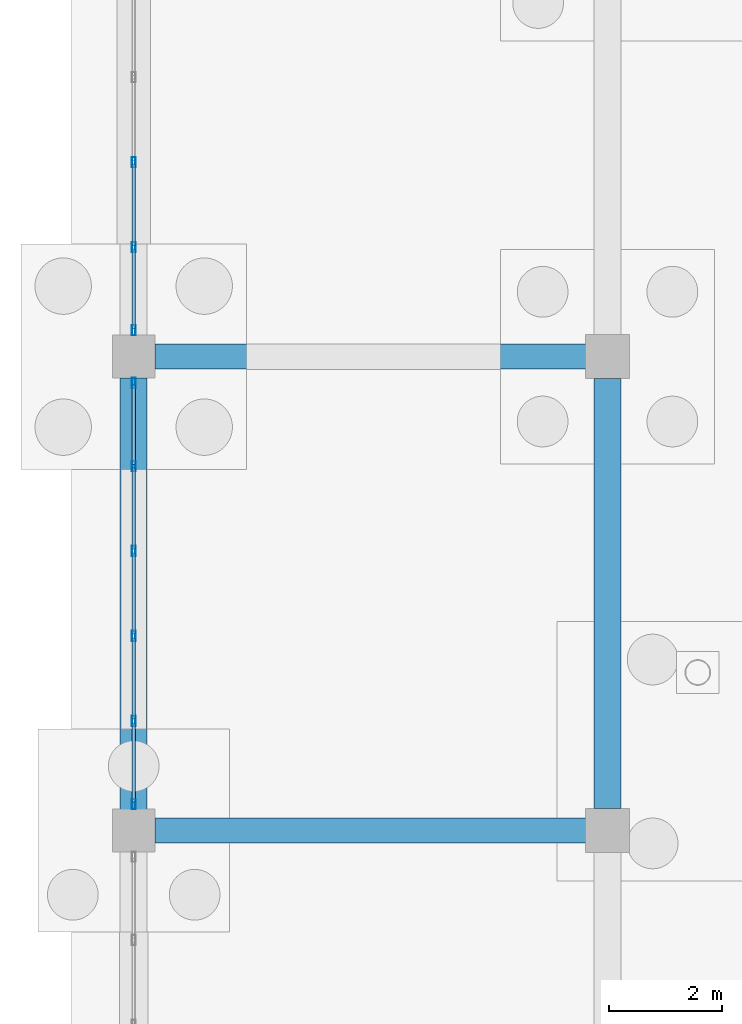
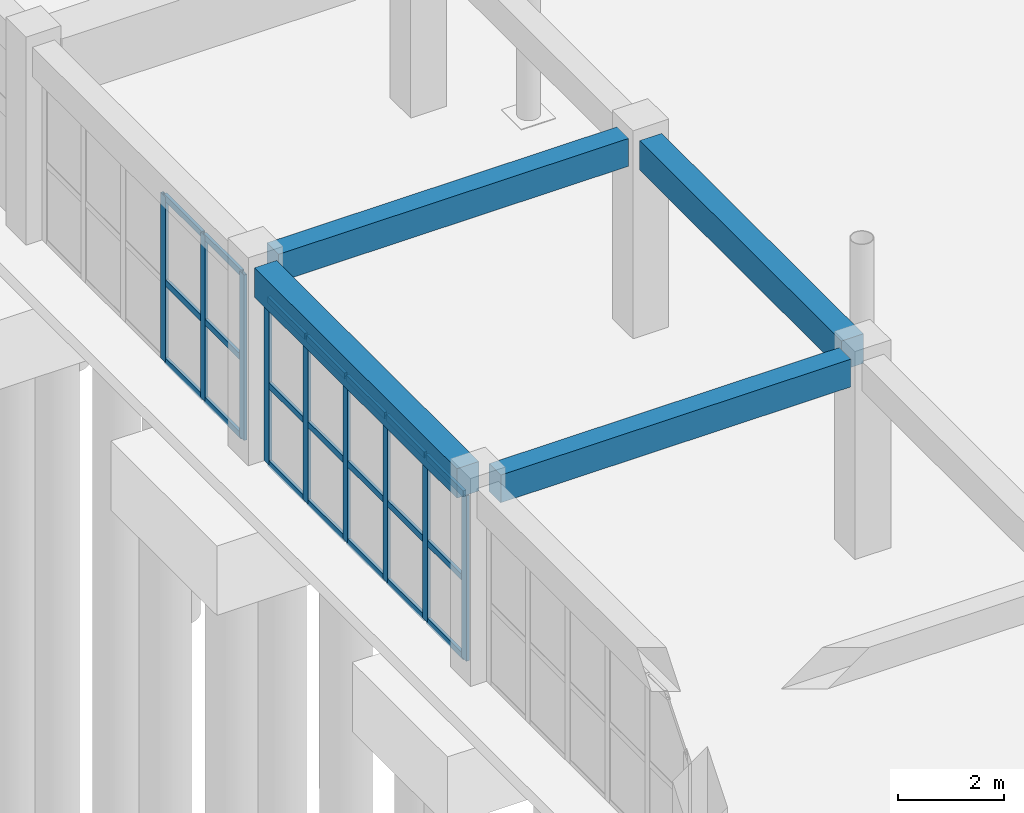
# One storey, part 127 of 192: 30 members, 4 beams, 2 elements without a shape of their own.
"""IFC4 building model written with IfcOpenShell, lengths in metres."""

from ifc_helpers import new_model, si_unit, direction, frame, origin, origin_2d, place, context, subcontext, project, spatial, rectangle, hollow_rectangle, extrude, material, layer, layer_set, material_profile, profile_set, type_object, element, aggregate, save


model = new_model("IFC4")

# Units and contexts
model_context = context("Model", 3, precision=1e-05, world=origin(), true_north=direction((0.0, 1.0)))
body_context = subcontext(model_context, "Body", "Model", "MODEL_VIEW")
ifc_project = project(units=[si_unit("LENGTHUNIT", "METRE"), si_unit("AREAUNIT", "SQUARE_METRE"), si_unit("VOLUMEUNIT", "CUBIC_METRE"), si_unit("PLANEANGLEUNIT", "RADIAN"), si_unit("MASSUNIT", "GRAM", prefix="KILO")], contexts=[model_context])

# Site, building, storey
site_placement = place(None, origin())
site = spatial("IfcSite", under=ifc_project, at=site_placement, CompositionType="ELEMENT")
building_placement = place(site_placement, origin())
building = spatial("IfcBuilding", under=site, at=building_placement, Name="Trelvath General Hospital", CompositionType="ELEMENT")
storey_placement = place(building_placement, origin())
storey = spatial("IfcBuildingStorey", under=building, at=storey_placement, Name="L00", CompositionType="ELEMENT", Elevation=0.0)

# Beams
ifc_material_1 = material(Name="Concrete C35/45", Category="concrete")
ifc_material_profile_1 = material_profile(ifc_material_1, rectangle(XDim=0.43994140625, YDim=0.639892578125, at=origin_2d()), Name="RCB440x640")
ifc_profile_set_1 = profile_set([ifc_material_profile_1], Name="Concrete C35/45")
beam_type_1 = type_object("IfcBeamType", Name="Beam RC440x640", PredefinedType="BEAM", material=ifc_profile_set_1)
for number, where, z_axis, x_axis, name in (
    (1, (134.77490234375, 50.39990234375, 4.199951171875), (1.0, 0.0, 0.0), (0.0, 1.0, 0.0), "Grid Beam BX-016G"),
    (2, (134.77490234375, 58.800048828125, 4.199951171875), (1.0, 0.0, 0.0), (0.0, 1.0, 0.0), "Grid Beam BX-016H"),
):
    element("IfcBeam", number, at=place(storey_placement, frame(where, z_axis=z_axis, x_axis=x_axis)), inside=storey, type_object=beam_type_1, Name=name, PredefinedType="BEAM", context=body_context, shape_type="SweptSolid", body=[
        extrude(rectangle(XDim=0.43994140625, YDim=0.639892578125, at=origin_2d()), origin(), (0.0, 0.0, 1.0), 7.64013671875),
    ])
ifc_material_2 = material(Name="Concrete C35/45", Category="concrete")
ifc_material_profile_2 = material_profile(ifc_material_2, rectangle(XDim=0.47998046875, YDim=0.679931640625, at=origin_2d()), Name="RCB480x680")
ifc_profile_set_2 = profile_set([ifc_material_profile_2], Name="Concrete C35/45")
beam_type_2 = type_object("IfcBeamType", Name="Beam RC480x680", PredefinedType="BEAM", material=ifc_profile_set_2)
beam_1_placement = place(storey_placement, frame((134.39990234375, 50.77490234375, 4.179931640625), z_axis=(0.0, 1.0, 0.0), x_axis=(-1.0, 0.0, 0.0)))
element("IfcBeam", 3, at=beam_1_placement, inside=storey, type_object=beam_type_2, Name="Grid Beam BY-016G", PredefinedType="BEAM", context=body_context, shape_type="SweptSolid", body=[
    extrude(rectangle(XDim=0.47998046875, YDim=0.679931640625, at=origin_2d()), origin(), (0.0, 0.0, 1.0), 7.650146484375),
])
beam_2_placement = place(storey_placement, frame((142.800048828125, 50.784912109375, 4.179931640625), z_axis=(0.0, 1.0, 0.0), x_axis=(-1.0, 0.0, 0.0)))
element("IfcBeam", 4, at=beam_2_placement, inside=storey, type_object=beam_type_2, Name="Grid Beam BY-017G", PredefinedType="BEAM", context=body_context, shape_type="SweptSolid", body=[
    extrude(rectangle(XDim=0.47998046875, YDim=0.679931640625, at=origin_2d()), origin(), (0.0, 0.0, 1.0), 7.630126953125),
])

# Curtain wall, members
ifc_material_3 = material(Name="Anodised aluminium and low-E glass", Category="aluminium")
ifc_layer = layer(ifc_material_3, 0.179931640625)
ifc_layer_set = layer_set([ifc_layer], Name="Anodised aluminium and low-E glass")
curtain_wall_type = type_object("IfcCurtainWallType", Name="CW Facade 753 382 18", PredefinedType="USERDEFINED", material=ifc_layer_set)
curtain_wall_1_placement = place(storey_placement, origin())
curtain_wall_1 = element("IfcCurtainWall", 5, at=curtain_wall_1_placement, inside=storey, type_object=curtain_wall_type, Name="Facade Curtain Wall CW-007", ObjectType="Unitised Glazed Curtain Wall", PredefinedType="USERDEFINED")
ifc_material_4 = material(Name="Anodised aluminium", Category="aluminium")
ifc_material_profile_3 = material_profile(ifc_material_4, hollow_rectangle(XDim=0.06494140625, YDim=0.179931640625, WallThickness=0.0048828125, at=origin_2d()), Name="RHS65x180x5")
ifc_profile_set_3 = profile_set([ifc_material_profile_3], Name="Anodised aluminium")
member_type_1 = type_object("IfcMemberType", Name="CurtainMullion 65x180", PredefinedType="MULLION", material=ifc_profile_set_3)
member_1_placement = place(storey_placement, frame((134.39990234375, 50.867431640625, 0.0), z_axis=(0.0, 0.0, 1.0), x_axis=(-1.0, 0.0, 0.0)))
member_1 = element("IfcMember", 6, at=member_1_placement, type_object=member_type_1, Name="CW-007 mullion 1", PredefinedType="MULLION", context=body_context, shape_type="SweptSolid", body=[
    extrude(hollow_rectangle(XDim=0.06494140625, YDim=0.179931640625, WallThickness=0.0048828125, at=origin_2d()), origin(), (0.0, 0.0, 1.0), 3.820068359375),
])
member_2_placement = place(storey_placement, frame((134.39990234375, 52.341064453125, 0.0), z_axis=(0.0, 0.0, 1.0), x_axis=(-1.0, 0.0, 0.0)))
member_2 = element("IfcMember", 7, at=member_2_placement, type_object=member_type_1, Name="CW-007 mullion 2", PredefinedType="MULLION", context=body_context, shape_type="SweptSolid", body=[
    extrude(hollow_rectangle(XDim=0.06494140625, YDim=0.179931640625, WallThickness=0.0048828125, at=origin_2d()), origin(), (0.0, 0.0, 1.0), 3.820068359375),
])
member_3_placement = place(storey_placement, frame((134.39990234375, 53.846923828125, 0.0), z_axis=(0.0, 0.0, 1.0), x_axis=(-1.0, 0.0, 0.0)))
member_3 = element("IfcMember", 8, at=member_3_placement, type_object=member_type_1, Name="CW-007 mullion 3", PredefinedType="MULLION", context=body_context, shape_type="SweptSolid", body=[
    extrude(hollow_rectangle(XDim=0.06494140625, YDim=0.179931640625, WallThickness=0.0048828125, at=origin_2d()), origin(), (0.0, 0.0, 1.0), 3.820068359375),
])
member_4_placement = place(storey_placement, frame((134.39990234375, 55.35302734375, 0.0), z_axis=(0.0, 0.0, 1.0), x_axis=(-1.0, 0.0, 0.0)))
member_4 = element("IfcMember", 9, at=member_4_placement, type_object=member_type_1, Name="CW-007 mullion 4", PredefinedType="MULLION", context=body_context, shape_type="SweptSolid", body=[
    extrude(hollow_rectangle(XDim=0.06494140625, YDim=0.179931640625, WallThickness=0.0048828125, at=origin_2d()), origin(), (0.0, 0.0, 1.0), 3.820068359375),
])
member_5_placement = place(storey_placement, frame((134.39990234375, 56.85888671875, 0.0), z_axis=(0.0, 0.0, 1.0), x_axis=(-1.0, 0.0, 0.0)))
member_5 = element("IfcMember", 10, at=member_5_placement, type_object=member_type_1, Name="CW-007 mullion 5", PredefinedType="MULLION", context=body_context, shape_type="SweptSolid", body=[
    extrude(hollow_rectangle(XDim=0.06494140625, YDim=0.179931640625, WallThickness=0.0048828125, at=origin_2d()), origin(), (0.0, 0.0, 1.0), 3.820068359375),
])
member_6_placement = place(storey_placement, frame((134.39990234375, 58.33251953125, 0.0), z_axis=(0.0, 0.0, 1.0), x_axis=(-1.0, 0.0, 0.0)))
member_6 = element("IfcMember", 11, at=member_6_placement, type_object=member_type_1, Name="CW-007 mullion 6", PredefinedType="MULLION", context=body_context, shape_type="SweptSolid", body=[
    extrude(hollow_rectangle(XDim=0.06494140625, YDim=0.179931640625, WallThickness=0.0048828125, at=origin_2d()), origin(), (0.0, 0.0, 1.0), 3.820068359375),
])

curtain_wall_2_placement = place(storey_placement, origin())
curtain_wall_2 = element("IfcCurtainWall", 12, at=curtain_wall_2_placement, inside=storey, type_object=curtain_wall_type, Name="Facade Curtain Wall CW-008", ObjectType="Unitised Glazed Curtain Wall", PredefinedType="USERDEFINED")
member_7_placement = place(storey_placement, frame((134.39990234375, 59.267578125, 0.0), z_axis=(0.0, 0.0, 1.0), x_axis=(-1.0, 0.0, 0.0)))
member_7 = element("IfcMember", 13, at=member_7_placement, type_object=member_type_1, Name="CW-008 mullion 1", PredefinedType="MULLION", context=body_context, shape_type="SweptSolid", body=[
    extrude(hollow_rectangle(XDim=0.06494140625, YDim=0.179931640625, WallThickness=0.0048828125, at=origin_2d()), origin(), (0.0, 0.0, 1.0), 3.820068359375),
])
member_8_placement = place(storey_placement, frame((134.39990234375, 60.740966796875, 0.0), z_axis=(0.0, 0.0, 1.0), x_axis=(-1.0, 0.0, 0.0)))
member_8 = element("IfcMember", 14, at=member_8_placement, type_object=member_type_1, Name="CW-008 mullion 2", PredefinedType="MULLION", context=body_context, shape_type="SweptSolid", body=[
    extrude(hollow_rectangle(XDim=0.06494140625, YDim=0.179931640625, WallThickness=0.0048828125, at=origin_2d()), origin(), (0.0, 0.0, 1.0), 3.820068359375),
])
member_9_placement = place(storey_placement, frame((134.39990234375, 62.2470703125, 0.0), z_axis=(0.0, 0.0, 1.0), x_axis=(-1.0, 0.0, 0.0)))
member_9 = element("IfcMember", 15, at=member_9_placement, type_object=member_type_1, Name="CW-008 mullion 3", PredefinedType="MULLION", context=body_context, shape_type="SweptSolid", body=[
    extrude(hollow_rectangle(XDim=0.06494140625, YDim=0.179931640625, WallThickness=0.0048828125, at=origin_2d()), origin(), (0.0, 0.0, 1.0), 3.820068359375),
])

# Member
ifc_material_5 = material(Name="Anodised aluminium", Category="aluminium")
ifc_material_profile_4 = material_profile(ifc_material_5, hollow_rectangle(XDim=0.06494140625, YDim=0.14501953125, WallThickness=0.00390625, at=origin_2d()), Name="RHS65x145x4")
ifc_profile_set_4 = profile_set([ifc_material_profile_4], Name="Anodised aluminium")
member_type_2 = type_object("IfcMemberType", Name="CurtainTransom 65x145", PredefinedType="USERDEFINED", material=ifc_profile_set_4)
member_10_placement = place(storey_placement, frame((134.39990234375, 50.89990234375, 0.032470703125), z_axis=(0.0, 1.0, 0.0), x_axis=(-1.0, 0.0, 0.0)))
member_10 = element("IfcMember", 16, at=member_10_placement, type_object=member_type_2, Name="CW-007 transom 1.1", ObjectType="TRANSOM", PredefinedType="USERDEFINED", context=body_context, shape_type="SweptSolid", body=[
    extrude(hollow_rectangle(XDim=0.06494140625, YDim=0.14501953125, WallThickness=0.00390625, at=origin_2d()), origin(), (0.0, 0.0, 1.0), 1.40869140625),
])

member_11_placement = place(storey_placement, frame((134.39990234375, 50.89990234375, 1.833984375), z_axis=(0.0, 1.0, 0.0), x_axis=(-1.0, 0.0, 0.0)))
member_11 = element("IfcMember", 17, at=member_11_placement, type_object=member_type_2, Name="CW-007 transom 1.2", ObjectType="TRANSOM", PredefinedType="USERDEFINED", context=body_context, shape_type="SweptSolid", body=[
    extrude(hollow_rectangle(XDim=0.06494140625, YDim=0.14501953125, WallThickness=0.00390625, at=origin_2d()), origin(), (0.0, 0.0, 1.0), 1.40869140625),
])

member_12_placement = place(storey_placement, frame((134.39990234375, 50.89990234375, 3.78759765625), z_axis=(0.0, 1.0, 0.0), x_axis=(-1.0, 0.0, 0.0)))
member_12 = element("IfcMember", 18, at=member_12_placement, type_object=member_type_2, Name="CW-007 transom 1.3", ObjectType="TRANSOM", PredefinedType="USERDEFINED", context=body_context, shape_type="SweptSolid", body=[
    extrude(hollow_rectangle(XDim=0.06494140625, YDim=0.14501953125, WallThickness=0.00390625, at=origin_2d()), origin(), (0.0, 0.0, 1.0), 1.40869140625),
])

member_13_placement = place(storey_placement, frame((134.39990234375, 52.37353515625, 0.032470703125), z_axis=(0.0, 1.0, 0.0), x_axis=(-1.0, 0.0, 0.0)))
member_13 = element("IfcMember", 19, at=member_13_placement, type_object=member_type_2, Name="CW-007 transom 2.1", ObjectType="TRANSOM", PredefinedType="USERDEFINED", context=body_context, shape_type="SweptSolid", body=[
    extrude(hollow_rectangle(XDim=0.06494140625, YDim=0.14501953125, WallThickness=0.00390625, at=origin_2d()), origin(), (0.0, 0.0, 1.0), 1.44091796875),
])

member_14_placement = place(storey_placement, frame((134.39990234375, 52.37353515625, 1.833984375), z_axis=(0.0, 1.0, 0.0), x_axis=(-1.0, 0.0, 0.0)))
member_14 = element("IfcMember", 20, at=member_14_placement, type_object=member_type_2, Name="CW-007 transom 2.2", ObjectType="TRANSOM", PredefinedType="USERDEFINED", context=body_context, shape_type="SweptSolid", body=[
    extrude(hollow_rectangle(XDim=0.06494140625, YDim=0.14501953125, WallThickness=0.00390625, at=origin_2d()), origin(), (0.0, 0.0, 1.0), 1.44091796875),
])

member_15_placement = place(storey_placement, frame((134.39990234375, 52.37353515625, 3.78759765625), z_axis=(0.0, 1.0, 0.0), x_axis=(-1.0, 0.0, 0.0)))
member_15 = element("IfcMember", 21, at=member_15_placement, type_object=member_type_2, Name="CW-007 transom 2.3", ObjectType="TRANSOM", PredefinedType="USERDEFINED", context=body_context, shape_type="SweptSolid", body=[
    extrude(hollow_rectangle(XDim=0.06494140625, YDim=0.14501953125, WallThickness=0.00390625, at=origin_2d()), origin(), (0.0, 0.0, 1.0), 1.44091796875),
])

member_16_placement = place(storey_placement, frame((134.39990234375, 53.87939453125, 0.032470703125), z_axis=(0.0, 1.0, 0.0), x_axis=(-1.0, 0.0, 0.0)))
member_16 = element("IfcMember", 22, at=member_16_placement, type_object=member_type_2, Name="CW-007 transom 3.1", ObjectType="TRANSOM", PredefinedType="USERDEFINED", context=body_context, shape_type="SweptSolid", body=[
    extrude(hollow_rectangle(XDim=0.06494140625, YDim=0.14501953125, WallThickness=0.00390625, at=origin_2d()), origin(), (0.0, 0.0, 1.0), 1.441162109375),
])

member_17_placement = place(storey_placement, frame((134.39990234375, 53.87939453125, 1.833984375), z_axis=(0.0, 1.0, 0.0), x_axis=(-1.0, 0.0, 0.0)))
member_17 = element("IfcMember", 23, at=member_17_placement, type_object=member_type_2, Name="CW-007 transom 3.2", ObjectType="TRANSOM", PredefinedType="USERDEFINED", context=body_context, shape_type="SweptSolid", body=[
    extrude(hollow_rectangle(XDim=0.06494140625, YDim=0.14501953125, WallThickness=0.00390625, at=origin_2d()), origin(), (0.0, 0.0, 1.0), 1.441162109375),
])

member_18_placement = place(storey_placement, frame((134.39990234375, 53.87939453125, 3.78759765625), z_axis=(0.0, 1.0, 0.0), x_axis=(-1.0, 0.0, 0.0)))
member_18 = element("IfcMember", 24, at=member_18_placement, type_object=member_type_2, Name="CW-007 transom 3.3", ObjectType="TRANSOM", PredefinedType="USERDEFINED", context=body_context, shape_type="SweptSolid", body=[
    extrude(hollow_rectangle(XDim=0.06494140625, YDim=0.14501953125, WallThickness=0.00390625, at=origin_2d()), origin(), (0.0, 0.0, 1.0), 1.441162109375),
])

member_19_placement = place(storey_placement, frame((134.39990234375, 55.385498046875, 0.032470703125), z_axis=(0.0, 1.0, 0.0), x_axis=(-1.0, 0.0, 0.0)))
member_19 = element("IfcMember", 25, at=member_19_placement, type_object=member_type_2, Name="CW-007 transom 4.1", ObjectType="TRANSOM", PredefinedType="USERDEFINED", context=body_context, shape_type="SweptSolid", body=[
    extrude(hollow_rectangle(XDim=0.06494140625, YDim=0.14501953125, WallThickness=0.00390625, at=origin_2d()), origin(), (0.0, 0.0, 1.0), 1.44091796875),
])

member_20_placement = place(storey_placement, frame((134.39990234375, 55.385498046875, 1.833984375), z_axis=(0.0, 1.0, 0.0), x_axis=(-1.0, 0.0, 0.0)))
member_20 = element("IfcMember", 26, at=member_20_placement, type_object=member_type_2, Name="CW-007 transom 4.2", ObjectType="TRANSOM", PredefinedType="USERDEFINED", context=body_context, shape_type="SweptSolid", body=[
    extrude(hollow_rectangle(XDim=0.06494140625, YDim=0.14501953125, WallThickness=0.00390625, at=origin_2d()), origin(), (0.0, 0.0, 1.0), 1.44091796875),
])

member_21_placement = place(storey_placement, frame((134.39990234375, 55.385498046875, 3.78759765625), z_axis=(0.0, 1.0, 0.0), x_axis=(-1.0, 0.0, 0.0)))
member_21 = element("IfcMember", 27, at=member_21_placement, type_object=member_type_2, Name="CW-007 transom 4.3", ObjectType="TRANSOM", PredefinedType="USERDEFINED", context=body_context, shape_type="SweptSolid", body=[
    extrude(hollow_rectangle(XDim=0.06494140625, YDim=0.14501953125, WallThickness=0.00390625, at=origin_2d()), origin(), (0.0, 0.0, 1.0), 1.44091796875),
])

member_22_placement = place(storey_placement, frame((134.39990234375, 56.8916015625, 0.032470703125), z_axis=(0.0, 1.0, 0.0), x_axis=(-1.0, 0.0, 0.0)))
member_22 = element("IfcMember", 28, at=member_22_placement, type_object=member_type_2, Name="CW-007 transom 5.1", ObjectType="TRANSOM", PredefinedType="USERDEFINED", context=body_context, shape_type="SweptSolid", body=[
    extrude(hollow_rectangle(XDim=0.06494140625, YDim=0.14501953125, WallThickness=0.00390625, at=origin_2d()), origin(), (0.0, 0.0, 1.0), 1.408447265625),
])

member_23_placement = place(storey_placement, frame((134.39990234375, 56.8916015625, 1.833984375), z_axis=(0.0, 1.0, 0.0), x_axis=(-1.0, 0.0, 0.0)))
member_23 = element("IfcMember", 29, at=member_23_placement, type_object=member_type_2, Name="CW-007 transom 5.2", ObjectType="TRANSOM", PredefinedType="USERDEFINED", context=body_context, shape_type="SweptSolid", body=[
    extrude(hollow_rectangle(XDim=0.06494140625, YDim=0.14501953125, WallThickness=0.00390625, at=origin_2d()), origin(), (0.0, 0.0, 1.0), 1.408447265625),
])

member_24_placement = place(storey_placement, frame((134.39990234375, 56.8916015625, 3.78759765625), z_axis=(0.0, 1.0, 0.0), x_axis=(-1.0, 0.0, 0.0)))
member_24 = element("IfcMember", 30, at=member_24_placement, type_object=member_type_2, Name="CW-007 transom 5.3", ObjectType="TRANSOM", PredefinedType="USERDEFINED", context=body_context, shape_type="SweptSolid", body=[
    extrude(hollow_rectangle(XDim=0.06494140625, YDim=0.14501953125, WallThickness=0.00390625, at=origin_2d()), origin(), (0.0, 0.0, 1.0), 1.408447265625),
])

aggregate(curtain_wall_1, [member_1, member_2, member_3, member_4, member_5, member_6, member_10, member_11, member_12, member_13, member_14, member_15, member_16, member_17, member_18, member_19, member_20, member_21, member_22, member_23, member_24])

member_25_placement = place(storey_placement, frame((134.39990234375, 59.300048828125, 0.032470703125), z_axis=(0.0, 1.0, 0.0), x_axis=(-1.0, 0.0, 0.0)))
member_25 = element("IfcMember", 31, at=member_25_placement, type_object=member_type_2, Name="CW-008 transom 1.1", ObjectType="TRANSOM", PredefinedType="USERDEFINED", context=body_context, shape_type="SweptSolid", body=[
    extrude(hollow_rectangle(XDim=0.06494140625, YDim=0.14501953125, WallThickness=0.00390625, at=origin_2d()), origin(), (0.0, 0.0, 1.0), 1.408447265625),
])

member_26_placement = place(storey_placement, frame((134.39990234375, 59.300048828125, 1.833984375), z_axis=(0.0, 1.0, 0.0), x_axis=(-1.0, 0.0, 0.0)))
member_26 = element("IfcMember", 32, at=member_26_placement, type_object=member_type_2, Name="CW-008 transom 1.2", ObjectType="TRANSOM", PredefinedType="USERDEFINED", context=body_context, shape_type="SweptSolid", body=[
    extrude(hollow_rectangle(XDim=0.06494140625, YDim=0.14501953125, WallThickness=0.00390625, at=origin_2d()), origin(), (0.0, 0.0, 1.0), 1.408447265625),
])

member_27_placement = place(storey_placement, frame((134.39990234375, 59.300048828125, 3.78759765625), z_axis=(0.0, 1.0, 0.0), x_axis=(-1.0, 0.0, 0.0)))
member_27 = element("IfcMember", 33, at=member_27_placement, type_object=member_type_2, Name="CW-008 transom 1.3", ObjectType="TRANSOM", PredefinedType="USERDEFINED", context=body_context, shape_type="SweptSolid", body=[
    extrude(hollow_rectangle(XDim=0.06494140625, YDim=0.14501953125, WallThickness=0.00390625, at=origin_2d()), origin(), (0.0, 0.0, 1.0), 1.408447265625),
])

member_28_placement = place(storey_placement, frame((134.39990234375, 60.7734375, 0.032470703125), z_axis=(0.0, 1.0, 0.0), x_axis=(-1.0, 0.0, 0.0)))
member_28 = element("IfcMember", 34, at=member_28_placement, type_object=member_type_2, Name="CW-008 transom 2.1", ObjectType="TRANSOM", PredefinedType="USERDEFINED", context=body_context, shape_type="SweptSolid", body=[
    extrude(hollow_rectangle(XDim=0.06494140625, YDim=0.14501953125, WallThickness=0.00390625, at=origin_2d()), origin(), (0.0, 0.0, 1.0), 1.441162109375),
])

member_29_placement = place(storey_placement, frame((134.39990234375, 60.7734375, 1.833984375), z_axis=(0.0, 1.0, 0.0), x_axis=(-1.0, 0.0, 0.0)))
member_29 = element("IfcMember", 35, at=member_29_placement, type_object=member_type_2, Name="CW-008 transom 2.2", ObjectType="TRANSOM", PredefinedType="USERDEFINED", context=body_context, shape_type="SweptSolid", body=[
    extrude(hollow_rectangle(XDim=0.06494140625, YDim=0.14501953125, WallThickness=0.00390625, at=origin_2d()), origin(), (0.0, 0.0, 1.0), 1.441162109375),
])

member_30_placement = place(storey_placement, frame((134.39990234375, 60.7734375, 3.78759765625), z_axis=(0.0, 1.0, 0.0), x_axis=(-1.0, 0.0, 0.0)))
member_30 = element("IfcMember", 36, at=member_30_placement, type_object=member_type_2, Name="CW-008 transom 2.3", ObjectType="TRANSOM", PredefinedType="USERDEFINED", context=body_context, shape_type="SweptSolid", body=[
    extrude(hollow_rectangle(XDim=0.06494140625, YDim=0.14501953125, WallThickness=0.00390625, at=origin_2d()), origin(), (0.0, 0.0, 1.0), 1.441162109375),
])

aggregate(curtain_wall_2, [member_7, member_8, member_9, member_25, member_26, member_27, member_28, member_29, member_30])

save(model, "model.ifc")
